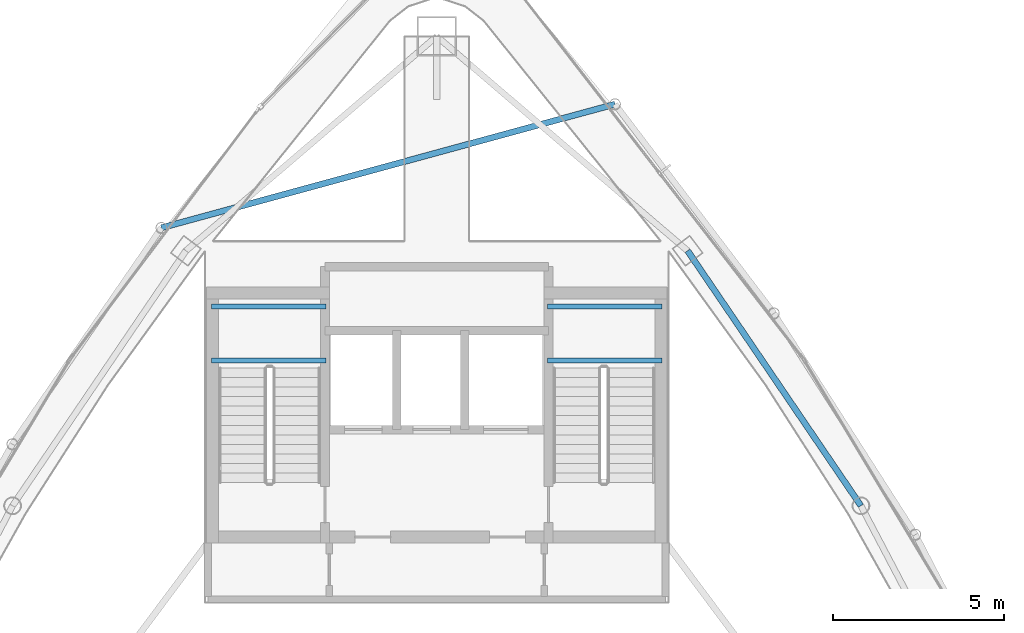
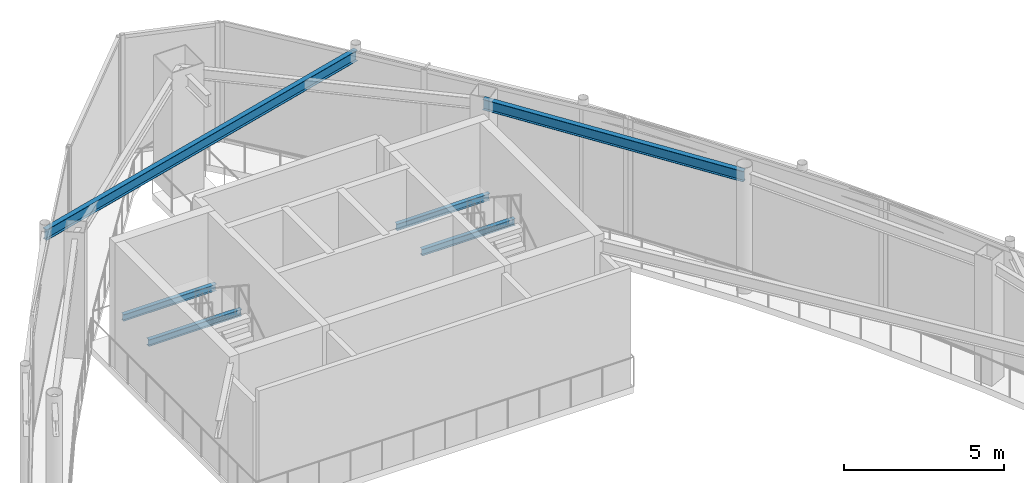
# One storey, part 9 of 19: 6 beams.
"""IFC4 building model written with IfcOpenShell, lengths in metres."""

from ifc_helpers import new_model, si_unit, direction, frame, origin, origin_2d, place, context, subcontext, project, spatial, i_section, extrude, material, material_profile, profile_set, type_object, element, save


model = new_model("IFC4")

# Units and contexts
model_context = context("Model", 3, precision=1e-05, world=origin(), true_north=direction((0.0, 1.0)))
body_context = subcontext(model_context, "Body", "Model", "MODEL_VIEW")
ifc_project = project(units=[si_unit("LENGTHUNIT", "METRE"), si_unit("AREAUNIT", "SQUARE_METRE"), si_unit("VOLUMEUNIT", "CUBIC_METRE"), si_unit("PLANEANGLEUNIT", "RADIAN"), si_unit("MASSUNIT", "GRAM", prefix="KILO")], contexts=[model_context])

# Site, building, storey
site_placement = place(None, origin())
site = spatial("IfcSite", under=ifc_project, at=site_placement, CompositionType="ELEMENT")
building_placement = place(site_placement, origin())
building = spatial("IfcBuilding", under=site, at=building_placement, Name="Orvanel Arch Residences", CompositionType="ELEMENT")
storey_placement = place(building_placement, frame((0.0, 0.0, 295.699951171875)))
storey = spatial("IfcBuildingStorey", under=building, at=storey_placement, Name="L83", CompositionType="ELEMENT", Elevation=295.699951171875)

# Beams
ifc_material = material(Name="Structural steel AS/NZS 3679.1 Grade 300 (300 MPa)", Category="steel")
ifc_material_profile_1 = material_profile(ifc_material, i_section(OverallWidth=0.14599609375, OverallDepth=0.251953125, WebThickness=0.006103515625, FlangeThickness=0.008544921875, at=origin_2d()), Name="250UB31.4")
ifc_profile_set_1 = profile_set([ifc_material_profile_1], Name="Structural steel AS/NZS 3679.1 Grade 300 (300 MPa)")
beam_type_1 = type_object("IfcBeamType", Name="BJ-250UB", PredefinedType="JOIST", material=ifc_profile_set_1)
for number, where, z_axis, x_axis, name in (
    (1, (26.39990234375, 31.89990234375, 2.073974609375), (1.0, 0.0, 0.0), (0.0, 1.0, 0.0), "L83 ST-1 Half-Landing Support Beam 1.1"),
    (2, (26.39990234375, 33.47998046875, 2.073974609375), (1.0, 0.0, 0.0), (0.0, 1.0, 0.0), "L83 ST-1 Half-Landing Support Beam 1.2"),
    (3, (36.25, 31.89990234375, 2.073974609375), (1.0, 0.0, 0.0), (0.0, 1.0, 0.0), "L83 ST-2 Half-Landing Support Beam 1.1"),
    (4, (36.25, 33.47998046875, 2.073974609375), (1.0, 0.0, 0.0), (0.0, 1.0, 0.0), "L83 ST-2 Half-Landing Support Beam 1.2"),
):
    element("IfcBeam", number, at=place(storey_placement, frame(where, z_axis=z_axis, x_axis=x_axis)), inside=storey, type_object=beam_type_1, Name=name, PredefinedType="JOIST", context=body_context, shape_type="SweptSolid", body=[
        extrude(i_section(OverallWidth=0.14599609375, OverallDepth=0.251953125, WebThickness=0.006103515625, FlangeThickness=0.008544921875, at=origin_2d()), origin(), (0.0, 0.0, 1.0), 3.35009765625),
    ])
ifc_material_profile_2 = material_profile(ifc_material, i_section(OverallWidth=0.177978515625, OverallDepth=0.406005859375, WebThickness=0.0078125, FlangeThickness=0.0126953125, at=origin_2d()), Name="410UB59.7")
ifc_profile_set_2 = profile_set([ifc_material_profile_2], Name="Structural steel AS/NZS 3679.1 Grade 300 (300 MPa)")
beam_type_2 = type_object("IfcBeamType", Name="OB-410UB", PredefinedType="SPANDREL", material=ifc_profile_set_2)
beam_1_placement = place(storey_placement, frame((45.430908203125, 27.64111328125, 4.34716796875), z_axis=(-0.562154793153, 0.827032035978, 0.0), x_axis=(-0.827032035978, -0.562154793153, 0.0)))
element("IfcBeam", 5, at=beam_1_placement, inside=storey, type_object=beam_type_2, Name="L83 Perimeter Spandrel Beam 08", PredefinedType="SPANDREL", context=body_context, shape_type="SweptSolid", body=[
    extrude(i_section(OverallWidth=0.177978515625, OverallDepth=0.406005859375, WebThickness=0.0078125, FlangeThickness=0.0126953125, at=origin_2d()), origin(), (0.0, 0.0, 1.0), 9.03466796875),
])
ifc_material_profile_3 = material_profile(ifc_material, i_section(OverallWidth=0.177978515625, OverallDepth=0.406005859375, WebThickness=0.0078125, FlangeThickness=0.0126953125, at=origin_2d()), Name="410UB59.7")
ifc_profile_set_3 = profile_set([ifc_material_profile_3], Name="Structural steel AS/NZS 3679.1 Grade 300 (300 MPa)")
beam_type_3 = type_object("IfcBeamType", Name="OB-410UB-EXT", PredefinedType="SPANDREL", material=ifc_profile_set_3)
beam_2_placement = place(storey_placement, frame((38.22412109375, 39.409912109375, 4.34716796875), z_axis=(-0.964794480335, -0.263004963291, 0.0), x_axis=(0.263004963291, -0.964794480335, 0.0)))
element("IfcBeam", 6, at=beam_2_placement, inside=storey, type_object=beam_type_3, Name="L83 Outer Perimeter Floor Ring Beam 12", PredefinedType="SPANDREL", context=body_context, shape_type="SweptSolid", body=[
    extrude(i_section(OverallWidth=0.177978515625, OverallDepth=0.406005859375, WebThickness=0.0078125, FlangeThickness=0.0126953125, at=origin_2d()), origin(), (0.0, 0.0, 1.0), 13.779296875),
])

save(model, "model.ifc")
